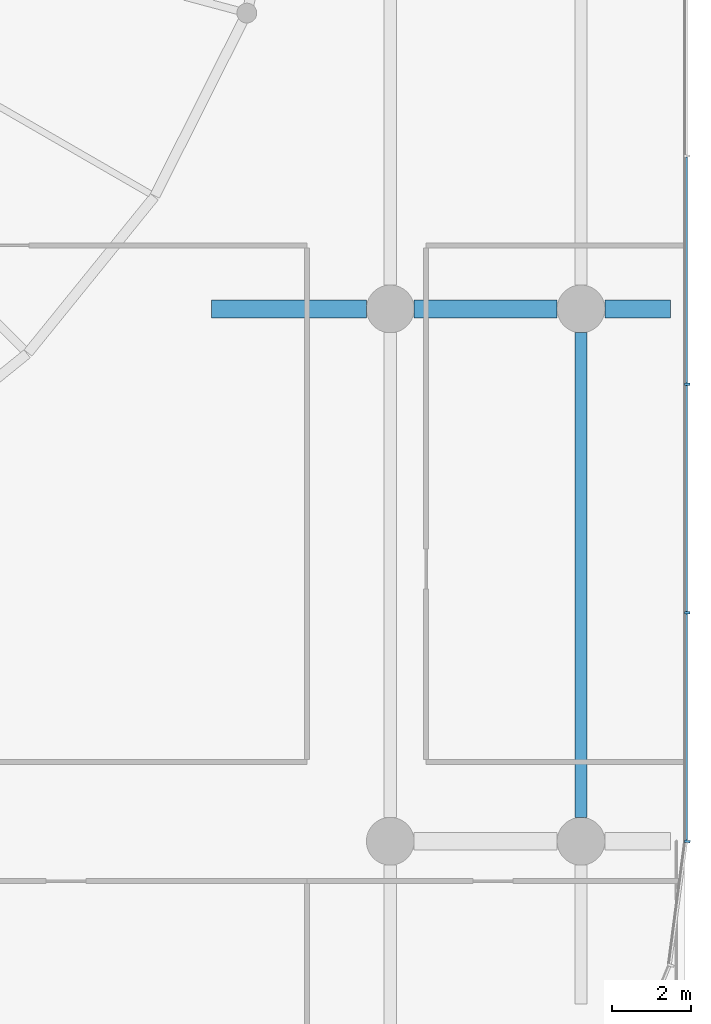
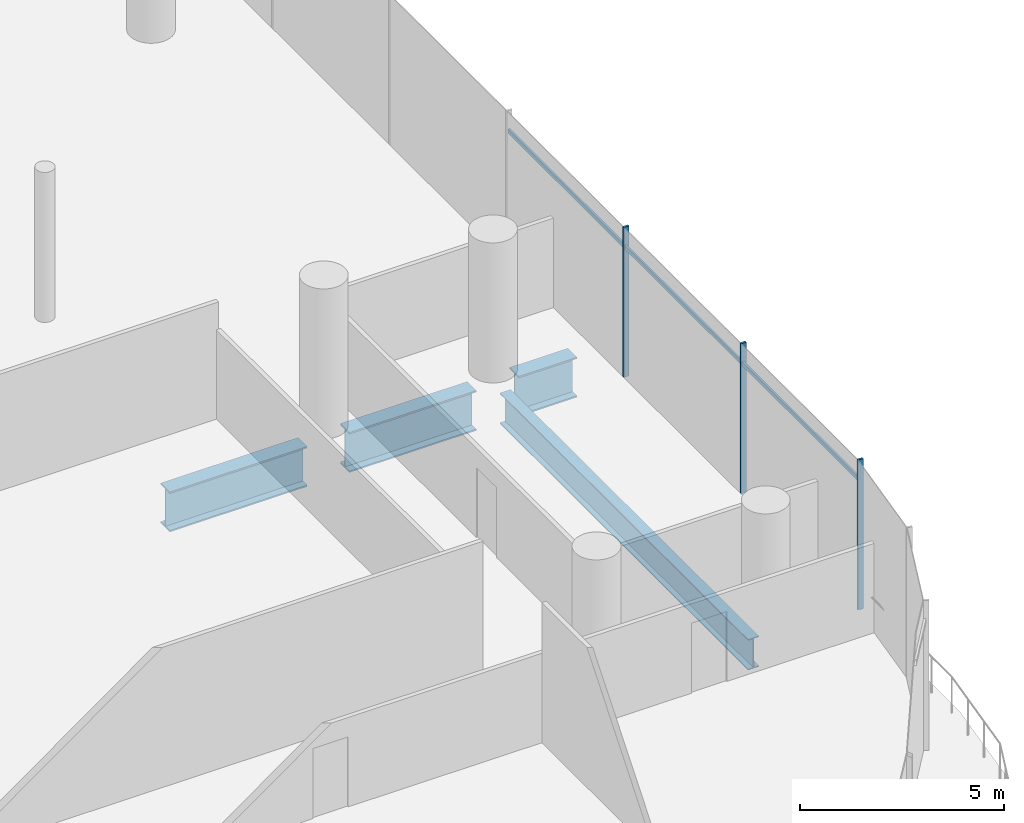
# One storey, part 14 of 43: 6 members, 4 beams, 1 element without a shape of its own.
"""IFC4 building model written with IfcOpenShell, lengths in metres."""

from ifc_helpers import new_model, si_unit, direction, frame, origin, origin_2d, place, context, subcontext, project, spatial, rectangle, i_section, extrude, material, material_profile, profile_set, type_object, element, aggregate, save


model = new_model("IFC4")

# Units and contexts
model_context = context("Model", 3, precision=1e-05, world=origin(), true_north=direction((0.0, 1.0)))
body_context = subcontext(model_context, "Body", "Model", "MODEL_VIEW")
ifc_project = project(units=[si_unit("LENGTHUNIT", "METRE"), si_unit("AREAUNIT", "SQUARE_METRE"), si_unit("VOLUMEUNIT", "CUBIC_METRE"), si_unit("PLANEANGLEUNIT", "RADIAN"), si_unit("MASSUNIT", "GRAM", prefix="KILO")], contexts=[model_context])

# Site, building, storey
site_placement = place(None, origin())
site = spatial("IfcSite", under=ifc_project, at=site_placement, CompositionType="ELEMENT")
building_placement = place(site_placement, origin())
building = spatial("IfcBuilding", under=site, at=building_placement, Name="Rimbun Link Towers", CompositionType="ELEMENT")
storey_placement = place(building_placement, frame((0.0, 0.0, 12.0)))
storey = spatial("IfcBuildingStorey", under=building, at=storey_placement, Name="L02", CompositionType="ELEMENT", Elevation=12.0)

# Curtain wall, members
ifc_material_1 = material(Name="Aluminium 6063-T6 and low-iron glass", Category="aluminium")
curtain_wall_type = type_object("IfcCurtainWallType", Name="CW3 podium shopfront", PredefinedType="NOTDEFINED", material=ifc_material_1)
curtain_wall_placement = place(storey_placement, origin())
curtain_wall = element("IfcCurtainWall", 1, at=curtain_wall_placement, inside=storey, type_object=curtain_wall_type, Name="CW3 L02 PD", PredefinedType="NOTDEFINED")
ifc_material_2 = material(Name="Aluminium 6063-T6", Category="aluminium")
ifc_material_profile_1 = material_profile(ifc_material_2, rectangle(XDim=0.14990234375, YDim=0.06005859375, at=origin_2d()), Name="MULLION 60X150")
ifc_profile_set_1 = profile_set([ifc_material_profile_1], Name="Aluminium 6063-T6")
member_type_1 = type_object("IfcMemberType", Name="CW3 mullion 60X150", PredefinedType="MULLION", material=ifc_profile_set_1)
member_1_placement = place(storey_placement, frame((62.074951171875, -26.0048828125, 0.0), z_axis=(0.0, 0.0, 1.0), x_axis=(0.997858781723, -0.065405288299, 0.0)))
member_1 = element("IfcMember", 2, at=member_1_placement, type_object=member_type_1, Name="CW3 mullion", PredefinedType="MULLION", context=body_context, shape_type="SweptSolid", body=[
    extrude(rectangle(XDim=0.14990234375, YDim=0.06005859375, at=origin_2d()), origin(), (0.0, 0.0, 1.0), 4.5),
])
member_2_placement = place(storey_placement, frame((62.074951171875, -20.25, 0.0), z_axis=(0.0, 0.0, 1.0), x_axis=(1.0, 0.0, 0.0)))
member_2 = element("IfcMember", 3, at=member_2_placement, type_object=member_type_1, Name="CW3 mullion", PredefinedType="MULLION", context=body_context, shape_type="SweptSolid", body=[
    extrude(rectangle(XDim=0.14990234375, YDim=0.06005859375, at=origin_2d()), origin(), (0.0, 0.0, 1.0), 4.5),
])
member_3_placement = place(storey_placement, frame((62.074951171875, -14.5, 0.0), z_axis=(0.0, 0.0, 1.0), x_axis=(1.0, 0.0, 0.0)))
member_3 = element("IfcMember", 4, at=member_3_placement, type_object=member_type_1, Name="CW3 mullion", PredefinedType="MULLION", context=body_context, shape_type="SweptSolid", body=[
    extrude(rectangle(XDim=0.14990234375, YDim=0.06005859375, at=origin_2d()), origin(), (0.0, 0.0, 1.0), 4.5),
])
ifc_material_3 = material(Name="Aluminium 6063-T6", Category="aluminium")
ifc_material_profile_2 = material_profile(ifc_material_3, rectangle(XDim=0.06005859375, YDim=0.1201171875, at=origin_2d()), Name="TRANSOM 60X120")
ifc_profile_set_2 = profile_set([ifc_material_profile_2], Name="Aluminium 6063-T6")
member_type_2 = type_object("IfcMemberType", Name="CW3 transom 60X120", PredefinedType="USERDEFINED", material=ifc_profile_set_2)
member_4_placement = place(storey_placement, frame((62.053955078125, -20.280029296875, 3.89990234375), z_axis=(0.0, -1.0, 0.0), x_axis=(1.0, 0.0, 0.0)))
member_4 = element("IfcMember", 5, at=member_4_placement, type_object=member_type_2, Name="CW3 transom", ObjectType="TRANSOM", PredefinedType="USERDEFINED", context=body_context, shape_type="SweptSolid", body=[
    extrude(rectangle(XDim=0.06005859375, YDim=0.1201171875, at=origin_2d()), origin(), (0.0, 0.0, 1.0), 5.68994140625),
])
member_5_placement = place(storey_placement, frame((62.053955078125, -14.530029296875, 3.89990234375), z_axis=(0.0, -1.0, 0.0), x_axis=(1.0, 0.0, 0.0)))
member_5 = element("IfcMember", 6, at=member_5_placement, type_object=member_type_2, Name="CW3 transom", ObjectType="TRANSOM", PredefinedType="USERDEFINED", context=body_context, shape_type="SweptSolid", body=[
    extrude(rectangle(XDim=0.06005859375, YDim=0.1201171875, at=origin_2d()), origin(), (0.0, 0.0, 1.0), 5.68994140625),
])
member_6_placement = place(storey_placement, frame((62.053955078125, -8.780029296875, 3.89990234375), z_axis=(0.0, -1.0, 0.0), x_axis=(1.0, 0.0, 0.0)))
member_6 = element("IfcMember", 7, at=member_6_placement, type_object=member_type_2, Name="CW3 transom", ObjectType="TRANSOM", PredefinedType="USERDEFINED", context=body_context, shape_type="SweptSolid", body=[
    extrude(rectangle(XDim=0.06005859375, YDim=0.1201171875, at=origin_2d()), origin(), (0.0, 0.0, 1.0), 5.68994140625),
])
aggregate(curtain_wall, [member_1, member_2, member_3, member_4, member_5, member_6])

# Beams
ifc_material_4 = material(Name="Steel S355J2", Category="steel")
ifc_material_profile_3 = material_profile(ifc_material_4, i_section(OverallWidth=0.449951171875, OverallDepth=1.199951171875, WebThickness=0.030029296875, FlangeThickness=0.044921875, at=origin_2d()), Name="PG 1200x450x30/45")
ifc_profile_set_3 = profile_set([ifc_material_profile_3], Name="Steel S355J2")
beam_type_1 = type_object("IfcBeamType", Name="PG 1200x450x30/45", PredefinedType="BEAM", material=ifc_profile_set_3)
beam_1_placement = place(storey_placement, frame((50.10009765625, -12.60009765625, -0.89990234375), z_axis=(1.0, 0.0, 0.0), x_axis=(0.0, 1.0, 0.0)))
element("IfcBeam", 8, at=beam_1_placement, inside=storey, type_object=beam_type_1, Name="Grid beam L02 -12.6", PredefinedType="BEAM", context=body_context, shape_type="SweptSolid", body=[
    extrude(i_section(OverallWidth=0.449951171875, OverallDepth=1.199951171875, WebThickness=0.030029296875, FlangeThickness=0.044921875, at=origin_2d()), origin(), (0.0, 0.0, 1.0), 3.89990234375),
])
beam_2_placement = place(storey_placement, frame((55.199951171875, -12.60009765625, -0.89990234375), z_axis=(1.0, 0.0, 0.0), x_axis=(0.0, 1.0, 0.0)))
element("IfcBeam", 9, at=beam_2_placement, inside=storey, type_object=beam_type_1, Name="Grid beam L02 -12.6", PredefinedType="BEAM", context=body_context, shape_type="SweptSolid", body=[
    extrude(i_section(OverallWidth=0.449951171875, OverallDepth=1.199951171875, WebThickness=0.030029296875, FlangeThickness=0.044921875, at=origin_2d()), origin(), (0.0, 0.0, 1.0), 3.60009765625),
])
beam_3_placement = place(storey_placement, frame((60.0, -12.60009765625, -0.89990234375), z_axis=(1.0, 0.0, 0.0), x_axis=(0.0, 1.0, 0.0)))
element("IfcBeam", 10, at=beam_3_placement, inside=storey, type_object=beam_type_1, Name="Grid beam L02 -12.6", PredefinedType="BEAM", context=body_context, shape_type="SweptSolid", body=[
    extrude(i_section(OverallWidth=0.449951171875, OverallDepth=1.199951171875, WebThickness=0.030029296875, FlangeThickness=0.044921875, at=origin_2d()), origin(), (0.0, 0.0, 1.0), 1.649169921875),
])
ifc_material_5 = material(Name="Steel S355J2", Category="steel")
ifc_material_profile_4 = material_profile(ifc_material_5, i_section(OverallWidth=0.305419921875, OverallDepth=0.91845703125, WebThickness=0.017333984375, FlangeThickness=0.02783203125, at=origin_2d()), Name="UB 914x305x253")
ifc_profile_set_4 = profile_set([ifc_material_profile_4], Name="Steel S355J2")
beam_type_2 = type_object("IfcBeamType", Name="UB 914x305x253", PredefinedType="BEAM", material=ifc_profile_set_4)
beam_4_placement = place(storey_placement, frame((59.39990234375, -25.39990234375, -0.75927734375), z_axis=(0.0, 1.0, 0.0), x_axis=(-1.0, 0.0, 0.0)))
element("IfcBeam", 11, at=beam_4_placement, inside=storey, type_object=beam_type_2, Name="Grid beam L02 +59.4", PredefinedType="BEAM", context=body_context, shape_type="SweptSolid", body=[
    extrude(i_section(OverallWidth=0.305419921875, OverallDepth=0.91845703125, WebThickness=0.017333984375, FlangeThickness=0.02783203125, at=origin_2d()), origin(), (0.0, 0.0, 1.0), 12.199951171875),
])

save(model, "model.ifc")
